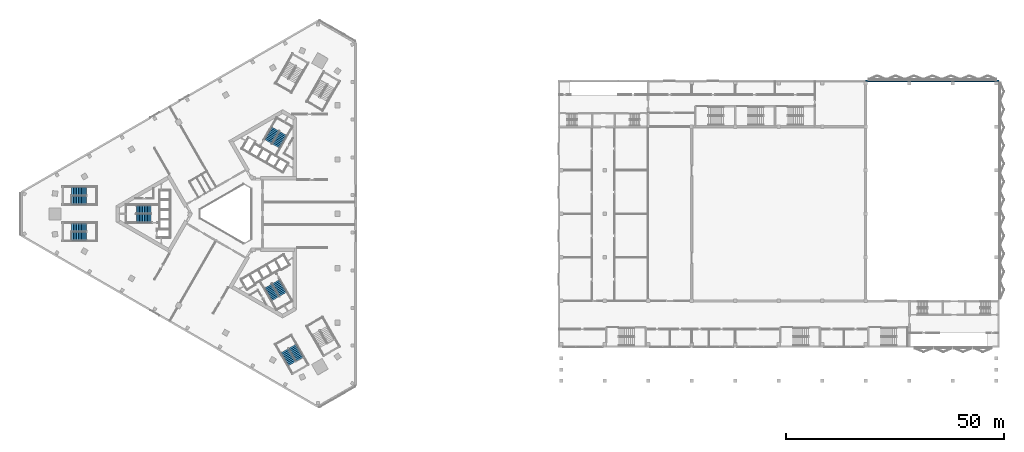
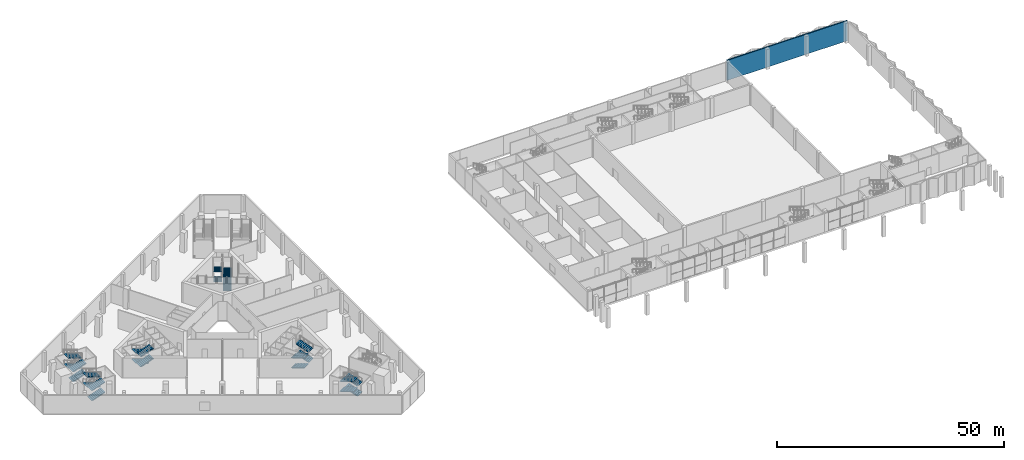
# One storey, part 17 of 35: 24 stair flights, 1 wall, 6 elements without a shape of their own.
"""IFC4 building model written with IfcOpenShell, lengths in metres."""

from ifc_helpers import new_model, si_unit, direction, frame, frame_2d, origin, place, context, subcontext, project, spatial, polyline, rectangle, outline, extrude, material, layer, layer_set, type_object, element, aggregate, save


model = new_model("IFC4")

# Units and contexts
model_context = context("Model", 3, precision=1e-05, world=origin(), true_north=direction((0.0, 1.0)))
body_context = subcontext(model_context, "Body", "Model", "MODEL_VIEW")
ifc_project = project(units=[si_unit("LENGTHUNIT", "METRE"), si_unit("AREAUNIT", "SQUARE_METRE"), si_unit("VOLUMEUNIT", "CUBIC_METRE"), si_unit("PLANEANGLEUNIT", "RADIAN"), si_unit("MASSUNIT", "GRAM", prefix="KILO")], contexts=[model_context])

# Site, building, storey
site_placement = place(None, origin())
site = spatial("IfcSite", under=ifc_project, at=site_placement, CompositionType="ELEMENT")
building_placement = place(site_placement, origin())
building = spatial("IfcBuilding", under=site, at=building_placement, Name="Jabali Bay Hotel Tower and Convention Centre", CompositionType="ELEMENT")
storey_placement = place(building_placement, frame((0.0, 0.0, 15.0)))
storey = spatial("IfcBuildingStorey", under=building, at=storey_placement, Name="L02", CompositionType="ELEMENT", Elevation=15.0)

# Wall
ifc_material = material(Name="Concrete C40", Category="concrete")
ifc_layer = layer(ifc_material, 0.300048828125)
ifc_layer_set = layer_set([ifc_layer], Name="Concrete C40")
wall_type = type_object("IfcWallType", Name="CC External Wall 300", PredefinedType="SOLIDWALL", material=ifc_layer_set)
wall_placement = place(storey_placement, frame((220.699951171875, 110.550048828125, 0.0), z_axis=(0.0, 0.0, 1.0), x_axis=(1.0, 0.0, 0.0)))
element("IfcWall", 1, at=wall_placement, inside=storey, type_object=wall_type, Name="CC plenary stage external wall", PredefinedType="SOLIDWALL", context=body_context, shape_type="SweptSolid", body=[
    extrude(rectangle(XDim=30.550048828125, YDim=0.300048828125, at=frame_2d((15.27490234375, 0.0))), origin(), (0.0, 0.0, 1.0), 5.39990234375),
])

# Stair, stair flights
stair_type_1 = type_object("IfcStairType", Name="Exit stair 1900", PredefinedType="HALF_TURN_STAIR", material=ifc_material)
stair_1_placement = place(storey_placement, origin())
stair_1 = element("IfcStair", 2, at=stair_1_placement, inside=storey, type_object=stair_type_1, Name="L02 Exit Stair 1", PredefinedType="HALF_TURN_STAIR")
stair_flight_type = type_object("IfcStairFlightType", Name="Stair flight concrete 150", PredefinedType="STRAIGHT", material=ifc_material)
stair_flight_1_placement = place(storey_placement, frame((56.419921875, 81.02490234375, 0.0), z_axis=(0.0, 0.0, 1.0), x_axis=(-1.0, 0.0, 0.0)))
stair_flight_1 = element("IfcStairFlight", 3, at=stair_flight_1_placement, type_object=stair_flight_type, Name="ST1 flight 1", NumberOfRisers=10, NumberOfTreads=9, PredefinedType="STRAIGHT", RiserHeight=0.135, TreadLength=0.37, context=body_context, shape_type="SweptSolid", body=[
    extrude(outline(polyline([(0.0, 0.0), (0.0, 0.135009765625), (0.3701171875, 0.135009765625), (0.3701171875, 0.27001953125), (0.739990234375, 0.27001953125), (0.739990234375, 0.405029296875), (1.110107421875, 0.405029296875), (1.110107421875, 0.5400390625), (1.47998046875, 0.5400390625), (1.47998046875, 0.675048828125), (1.85009765625, 0.675048828125), (1.85009765625, 0.81005859375), (2.219970703125, 0.81005859375), (2.219970703125, 0.945068359375), (2.590087890625, 0.945068359375), (2.590087890625, 1.080078125), (2.9599609375, 1.080078125), (2.9599609375, 1.215087890625), (3.330078125, 1.215087890625), (3.330078125, 1.35009765625), (3.330078125, 1.055419921875), (0.437255859375, 0.0), (0.0, 0.0)])), frame((0.0, 0.949951171875, 0.0), z_axis=(0.0, -1.0, 0.0), x_axis=(1.0, 0.0, 0.0)), (0.0, 0.0, 1.0), 1.89990234375),
])
stair_flight_2_placement = place(storey_placement, frame((53.090087890625, 78.97509765625, 1.35009765625), z_axis=(0.0, 0.0, 1.0), x_axis=(1.0, 0.0, 0.0)))
stair_flight_2 = element("IfcStairFlight", 4, at=stair_flight_2_placement, type_object=stair_flight_type, Name="ST1 flight 2", NumberOfRisers=10, NumberOfTreads=9, PredefinedType="STRAIGHT", RiserHeight=0.135, TreadLength=0.37, context=body_context, shape_type="SweptSolid", body=[
    extrude(outline(polyline([(0.0, 0.0), (0.0, 0.135009765625), (0.3701171875, 0.135009765625), (0.3701171875, 0.27001953125), (0.739990234375, 0.27001953125), (0.739990234375, 0.405029296875), (1.110107421875, 0.405029296875), (1.110107421875, 0.5400390625), (1.47998046875, 0.5400390625), (1.47998046875, 0.675048828125), (1.85009765625, 0.675048828125), (1.85009765625, 0.81005859375), (2.219970703125, 0.81005859375), (2.219970703125, 0.945068359375), (2.590087890625, 0.945068359375), (2.590087890625, 1.080078125), (2.9599609375, 1.080078125), (2.9599609375, 1.215087890625), (3.330078125, 1.215087890625), (3.330078125, 1.35009765625), (3.330078125, 1.055419921875), (0.437255859375, 0.0), (0.0, 0.0)])), frame((0.0, 0.949951171875, 0.0), z_axis=(0.0, -1.0, 0.0), x_axis=(1.0, 0.0, 0.0)), (0.0, 0.0, 1.0), 1.89990234375),
])
stair_flight_3_placement = place(storey_placement, frame((56.419921875, 81.02490234375, 2.699951171875), z_axis=(0.0, 0.0, 1.0), x_axis=(-1.0, 0.0, 0.0)))
stair_flight_3 = element("IfcStairFlight", 5, at=stair_flight_3_placement, type_object=stair_flight_type, Name="ST1 flight 3", NumberOfRisers=10, NumberOfTreads=9, PredefinedType="STRAIGHT", RiserHeight=0.135, TreadLength=0.37, context=body_context, shape_type="SweptSolid", body=[
    extrude(outline(polyline([(0.0, 0.0), (0.0, 0.135009765625), (0.3701171875, 0.135009765625), (0.3701171875, 0.27001953125), (0.739990234375, 0.27001953125), (0.739990234375, 0.405029296875), (1.110107421875, 0.405029296875), (1.110107421875, 0.5400390625), (1.47998046875, 0.5400390625), (1.47998046875, 0.675048828125), (1.85009765625, 0.675048828125), (1.85009765625, 0.81005859375), (2.219970703125, 0.81005859375), (2.219970703125, 0.945068359375), (2.590087890625, 0.945068359375), (2.590087890625, 1.080078125), (2.9599609375, 1.080078125), (2.9599609375, 1.215087890625), (3.330078125, 1.215087890625), (3.330078125, 1.35009765625), (3.330078125, 1.055419921875), (0.437255859375, 0.0), (0.0, 0.0)])), frame((0.0, 0.949951171875, 0.0), z_axis=(0.0, -1.0, 0.0), x_axis=(1.0, 0.0, 0.0)), (0.0, 0.0, 1.0), 1.89990234375),
])
stair_flight_4_placement = place(storey_placement, frame((53.090087890625, 78.97509765625, 4.050048828125), z_axis=(0.0, 0.0, 1.0), x_axis=(1.0, 0.0, 0.0)))
stair_flight_4 = element("IfcStairFlight", 6, at=stair_flight_4_placement, type_object=stair_flight_type, Name="ST1 flight 4", NumberOfRisers=10, NumberOfTreads=9, PredefinedType="STRAIGHT", RiserHeight=0.135, TreadLength=0.37, context=body_context, shape_type="SweptSolid", body=[
    extrude(outline(polyline([(0.0, 0.0), (0.0, 0.135009765625), (0.3701171875, 0.135009765625), (0.3701171875, 0.27001953125), (0.739990234375, 0.27001953125), (0.739990234375, 0.405029296875), (1.110107421875, 0.405029296875), (1.110107421875, 0.5400390625), (1.47998046875, 0.5400390625), (1.47998046875, 0.675048828125), (1.85009765625, 0.675048828125), (1.85009765625, 0.81005859375), (2.219970703125, 0.81005859375), (2.219970703125, 0.945068359375), (2.590087890625, 0.945068359375), (2.590087890625, 1.080078125), (2.9599609375, 1.080078125), (2.9599609375, 1.215087890625), (3.330078125, 1.215087890625), (3.330078125, 1.35009765625), (3.330078125, 1.055419921875), (0.437255859375, 0.0), (0.0, 0.0)])), frame((0.0, 0.949951171875, 0.0), z_axis=(0.0, -1.0, 0.0), x_axis=(1.0, 0.0, 0.0)), (0.0, 0.0, 1.0), 1.89990234375),
])
aggregate(stair_1, [stair_flight_1, stair_flight_2, stair_flight_3, stair_flight_4])

stair_2_placement = place(storey_placement, origin())
stair_2 = element("IfcStair", 7, at=stair_2_placement, inside=storey, type_object=stair_type_1, Name="L02 Exit Stair 2", PredefinedType="HALF_TURN_STAIR")
stair_flight_5_placement = place(storey_placement, frame((85.177734375, 95.578369140625, 0.0), z_axis=(0.0, 0.0, 1.0), x_axis=(0.5, 0.866025403784, 0.0)))
stair_flight_5 = element("IfcStairFlight", 8, at=stair_flight_5_placement, type_object=stair_flight_type, Name="ST2 flight 1", NumberOfRisers=10, NumberOfTreads=9, PredefinedType="STRAIGHT", RiserHeight=0.135, TreadLength=0.37, context=body_context, shape_type="SweptSolid", body=[
    extrude(outline(polyline([(0.0, 0.0), (0.0, 0.135009765625), (0.3701171875, 0.135009765625), (0.3701171875, 0.27001953125), (0.739990234375, 0.27001953125), (0.739990234375, 0.405029296875), (1.110107421875, 0.405029296875), (1.110107421875, 0.5400390625), (1.47998046875, 0.5400390625), (1.47998046875, 0.675048828125), (1.85009765625, 0.675048828125), (1.85009765625, 0.81005859375), (2.219970703125, 0.81005859375), (2.219970703125, 0.945068359375), (2.590087890625, 0.945068359375), (2.590087890625, 1.080078125), (2.9599609375, 1.080078125), (2.9599609375, 1.215087890625), (3.330078125, 1.215087890625), (3.330078125, 1.35009765625), (3.330078125, 1.055419921875), (0.437255859375, 0.0), (0.0, 0.0)])), frame((0.0, 0.949951171875, 0.0), z_axis=(0.0, -1.0, 0.0), x_axis=(1.0, 0.0, 0.0)), (0.0, 0.0, 1.0), 1.89990234375),
])
stair_flight_6_placement = place(storey_placement, frame((85.0673828125, 99.487060546875, 1.35009765625), z_axis=(0.0, 0.0, 1.0), x_axis=(-0.5, -0.866025403784, 0.0)))
stair_flight_6 = element("IfcStairFlight", 9, at=stair_flight_6_placement, type_object=stair_flight_type, Name="ST2 flight 2", NumberOfRisers=10, NumberOfTreads=9, PredefinedType="STRAIGHT", RiserHeight=0.135, TreadLength=0.37, context=body_context, shape_type="SweptSolid", body=[
    extrude(outline(polyline([(0.0, 0.0), (0.0, 0.135009765625), (0.3701171875, 0.135009765625), (0.3701171875, 0.27001953125), (0.739990234375, 0.27001953125), (0.739990234375, 0.405029296875), (1.110107421875, 0.405029296875), (1.110107421875, 0.5400390625), (1.47998046875, 0.5400390625), (1.47998046875, 0.675048828125), (1.85009765625, 0.675048828125), (1.85009765625, 0.81005859375), (2.219970703125, 0.81005859375), (2.219970703125, 0.945068359375), (2.590087890625, 0.945068359375), (2.590087890625, 1.080078125), (2.9599609375, 1.080078125), (2.9599609375, 1.215087890625), (3.330078125, 1.215087890625), (3.330078125, 1.35009765625), (3.330078125, 1.055419921875), (0.437255859375, 0.0), (0.0, 0.0)])), frame((0.0, 0.949951171875, 0.0), z_axis=(0.0, -1.0, 0.0), x_axis=(1.0, 0.0, 0.0)), (0.0, 0.0, 1.0), 1.89990234375),
])
stair_flight_7_placement = place(storey_placement, frame((85.177734375, 95.578369140625, 2.699951171875), z_axis=(0.0, 0.0, 1.0), x_axis=(0.5, 0.866025403784, 0.0)))
stair_flight_7 = element("IfcStairFlight", 10, at=stair_flight_7_placement, type_object=stair_flight_type, Name="ST2 flight 3", NumberOfRisers=10, NumberOfTreads=9, PredefinedType="STRAIGHT", RiserHeight=0.135, TreadLength=0.37, context=body_context, shape_type="SweptSolid", body=[
    extrude(outline(polyline([(0.0, 0.0), (0.0, 0.135009765625), (0.3701171875, 0.135009765625), (0.3701171875, 0.27001953125), (0.739990234375, 0.27001953125), (0.739990234375, 0.405029296875), (1.110107421875, 0.405029296875), (1.110107421875, 0.5400390625), (1.47998046875, 0.5400390625), (1.47998046875, 0.675048828125), (1.85009765625, 0.675048828125), (1.85009765625, 0.81005859375), (2.219970703125, 0.81005859375), (2.219970703125, 0.945068359375), (2.590087890625, 0.945068359375), (2.590087890625, 1.080078125), (2.9599609375, 1.080078125), (2.9599609375, 1.215087890625), (3.330078125, 1.215087890625), (3.330078125, 1.35009765625), (3.330078125, 1.055419921875), (0.437255859375, 0.0), (0.0, 0.0)])), frame((0.0, 0.949951171875, 0.0), z_axis=(0.0, -1.0, 0.0), x_axis=(1.0, 0.0, 0.0)), (0.0, 0.0, 1.0), 1.89990234375),
])
stair_flight_8_placement = place(storey_placement, frame((85.0673828125, 99.487060546875, 4.050048828125), z_axis=(0.0, 0.0, 1.0), x_axis=(-0.5, -0.866025403784, 0.0)))
stair_flight_8 = element("IfcStairFlight", 11, at=stair_flight_8_placement, type_object=stair_flight_type, Name="ST2 flight 4", NumberOfRisers=10, NumberOfTreads=9, PredefinedType="STRAIGHT", RiserHeight=0.135, TreadLength=0.37, context=body_context, shape_type="SweptSolid", body=[
    extrude(outline(polyline([(0.0, 0.0), (0.0, 0.135009765625), (0.3701171875, 0.135009765625), (0.3701171875, 0.27001953125), (0.739990234375, 0.27001953125), (0.739990234375, 0.405029296875), (1.110107421875, 0.405029296875), (1.110107421875, 0.5400390625), (1.47998046875, 0.5400390625), (1.47998046875, 0.675048828125), (1.85009765625, 0.675048828125), (1.85009765625, 0.81005859375), (2.219970703125, 0.81005859375), (2.219970703125, 0.945068359375), (2.590087890625, 0.945068359375), (2.590087890625, 1.080078125), (2.9599609375, 1.080078125), (2.9599609375, 1.215087890625), (3.330078125, 1.215087890625), (3.330078125, 1.35009765625), (3.330078125, 1.055419921875), (0.437255859375, 0.0), (0.0, 0.0)])), frame((0.0, 0.949951171875, 0.0), z_axis=(0.0, -1.0, 0.0), x_axis=(1.0, 0.0, 0.0)), (0.0, 0.0, 1.0), 1.89990234375),
])
aggregate(stair_2, [stair_flight_5, stair_flight_6, stair_flight_7, stair_flight_8])

stair_3_placement = place(storey_placement, origin())
stair_3 = element("IfcStair", 12, at=stair_3_placement, inside=storey, type_object=stair_type_1, Name="L02 Exit Stair 3", PredefinedType="HALF_TURN_STAIR")
stair_flight_9_placement = place(storey_placement, frame((83.40234375, 63.396728515625, 0.0), z_axis=(0.0, 0.0, 1.0), x_axis=(0.5, -0.866025403784, 0.0)))
stair_flight_9 = element("IfcStairFlight", 13, at=stair_flight_9_placement, type_object=stair_flight_type, Name="ST3 flight 1", NumberOfRisers=10, NumberOfTreads=9, PredefinedType="STRAIGHT", RiserHeight=0.135, TreadLength=0.37, context=body_context, shape_type="SweptSolid", body=[
    extrude(outline(polyline([(0.0, 0.0), (0.0, 0.135009765625), (0.3701171875, 0.135009765625), (0.3701171875, 0.27001953125), (0.739990234375, 0.27001953125), (0.739990234375, 0.405029296875), (1.110107421875, 0.405029296875), (1.110107421875, 0.5400390625), (1.47998046875, 0.5400390625), (1.47998046875, 0.675048828125), (1.85009765625, 0.675048828125), (1.85009765625, 0.81005859375), (2.219970703125, 0.81005859375), (2.219970703125, 0.945068359375), (2.590087890625, 0.945068359375), (2.590087890625, 1.080078125), (2.9599609375, 1.080078125), (2.9599609375, 1.215087890625), (3.330078125, 1.215087890625), (3.330078125, 1.35009765625), (3.330078125, 1.055419921875), (0.437255859375, 0.0), (0.0, 0.0)])), frame((0.0, 0.949951171875, 0.0), z_axis=(0.0, -1.0, 0.0), x_axis=(1.0, 0.0, 0.0)), (0.0, 0.0, 1.0), 1.89990234375),
])
stair_flight_10_placement = place(storey_placement, frame((86.8427734375, 61.537841796875, 1.35009765625), z_axis=(0.0, 0.0, 1.0), x_axis=(-0.5, 0.866025403784, 0.0)))
stair_flight_10 = element("IfcStairFlight", 14, at=stair_flight_10_placement, type_object=stair_flight_type, Name="ST3 flight 2", NumberOfRisers=10, NumberOfTreads=9, PredefinedType="STRAIGHT", RiserHeight=0.135, TreadLength=0.37, context=body_context, shape_type="SweptSolid", body=[
    extrude(outline(polyline([(0.0, 0.0), (0.0, 0.135009765625), (0.3701171875, 0.135009765625), (0.3701171875, 0.27001953125), (0.739990234375, 0.27001953125), (0.739990234375, 0.405029296875), (1.110107421875, 0.405029296875), (1.110107421875, 0.5400390625), (1.47998046875, 0.5400390625), (1.47998046875, 0.675048828125), (1.85009765625, 0.675048828125), (1.85009765625, 0.81005859375), (2.219970703125, 0.81005859375), (2.219970703125, 0.945068359375), (2.590087890625, 0.945068359375), (2.590087890625, 1.080078125), (2.9599609375, 1.080078125), (2.9599609375, 1.215087890625), (3.330078125, 1.215087890625), (3.330078125, 1.35009765625), (3.330078125, 1.055419921875), (0.437255859375, 0.0), (0.0, 0.0)])), frame((0.0, 0.949951171875, 0.0), z_axis=(0.0, -1.0, 0.0), x_axis=(1.0, 0.0, 0.0)), (0.0, 0.0, 1.0), 1.89990234375),
])
stair_flight_11_placement = place(storey_placement, frame((83.40234375, 63.396728515625, 2.699951171875), z_axis=(0.0, 0.0, 1.0), x_axis=(0.5, -0.866025403784, 0.0)))
stair_flight_11 = element("IfcStairFlight", 15, at=stair_flight_11_placement, type_object=stair_flight_type, Name="ST3 flight 3", NumberOfRisers=10, NumberOfTreads=9, PredefinedType="STRAIGHT", RiserHeight=0.135, TreadLength=0.37, context=body_context, shape_type="SweptSolid", body=[
    extrude(outline(polyline([(0.0, 0.0), (0.0, 0.135009765625), (0.3701171875, 0.135009765625), (0.3701171875, 0.27001953125), (0.739990234375, 0.27001953125), (0.739990234375, 0.405029296875), (1.110107421875, 0.405029296875), (1.110107421875, 0.5400390625), (1.47998046875, 0.5400390625), (1.47998046875, 0.675048828125), (1.85009765625, 0.675048828125), (1.85009765625, 0.81005859375), (2.219970703125, 0.81005859375), (2.219970703125, 0.945068359375), (2.590087890625, 0.945068359375), (2.590087890625, 1.080078125), (2.9599609375, 1.080078125), (2.9599609375, 1.215087890625), (3.330078125, 1.215087890625), (3.330078125, 1.35009765625), (3.330078125, 1.055419921875), (0.437255859375, 0.0), (0.0, 0.0)])), frame((0.0, 0.949951171875, 0.0), z_axis=(0.0, -1.0, 0.0), x_axis=(1.0, 0.0, 0.0)), (0.0, 0.0, 1.0), 1.89990234375),
])
stair_flight_12_placement = place(storey_placement, frame((86.8427734375, 61.537841796875, 4.050048828125), z_axis=(0.0, 0.0, 1.0), x_axis=(-0.5, 0.866025403784, 0.0)))
stair_flight_12 = element("IfcStairFlight", 16, at=stair_flight_12_placement, type_object=stair_flight_type, Name="ST3 flight 4", NumberOfRisers=10, NumberOfTreads=9, PredefinedType="STRAIGHT", RiserHeight=0.135, TreadLength=0.37, context=body_context, shape_type="SweptSolid", body=[
    extrude(outline(polyline([(0.0, 0.0), (0.0, 0.135009765625), (0.3701171875, 0.135009765625), (0.3701171875, 0.27001953125), (0.739990234375, 0.27001953125), (0.739990234375, 0.405029296875), (1.110107421875, 0.405029296875), (1.110107421875, 0.5400390625), (1.47998046875, 0.5400390625), (1.47998046875, 0.675048828125), (1.85009765625, 0.675048828125), (1.85009765625, 0.81005859375), (2.219970703125, 0.81005859375), (2.219970703125, 0.945068359375), (2.590087890625, 0.945068359375), (2.590087890625, 1.080078125), (2.9599609375, 1.080078125), (2.9599609375, 1.215087890625), (3.330078125, 1.215087890625), (3.330078125, 1.35009765625), (3.330078125, 1.055419921875), (0.437255859375, 0.0), (0.0, 0.0)])), frame((0.0, 0.949951171875, 0.0), z_axis=(0.0, -1.0, 0.0), x_axis=(1.0, 0.0, 0.0)), (0.0, 0.0, 1.0), 1.89990234375),
])
aggregate(stair_3, [stair_flight_9, stair_flight_10, stair_flight_11, stair_flight_12])

stair_type_2 = type_object("IfcStairType", Name="Podium stair 1950", PredefinedType="HALF_TURN_STAIR", material=ifc_material)
stair_4_placement = place(storey_placement, origin())
stair_4 = element("IfcStair", 17, at=stair_4_placement, inside=storey, type_object=stair_type_2, Name="L02 Podium Exit Stair 1", PredefinedType="HALF_TURN_STAIR")
stair_flight_13_placement = place(storey_placement, frame((38.25, 74.824951171875, 0.0), z_axis=(0.0, 0.0, 1.0), x_axis=(1.0, 0.0, 0.0)))
stair_flight_13 = element("IfcStairFlight", 18, at=stair_flight_13_placement, type_object=stair_flight_type, Name="PS1 flight 1", NumberOfRisers=10, NumberOfTreads=9, PredefinedType="STRAIGHT", RiserHeight=0.135, TreadLength=0.38, context=body_context, shape_type="SweptSolid", body=[
    extrude(outline(polyline([(0.0, 0.0), (0.0, 0.135009765625), (0.3798828125, 0.135009765625), (0.3798828125, 0.27001953125), (0.760009765625, 0.27001953125), (0.760009765625, 0.405029296875), (1.139892578125, 0.405029296875), (1.139892578125, 0.5400390625), (1.52001953125, 0.5400390625), (1.52001953125, 0.675048828125), (1.89990234375, 0.675048828125), (1.89990234375, 0.81005859375), (2.280029296875, 0.81005859375), (2.280029296875, 0.945068359375), (2.659912109375, 0.945068359375), (2.659912109375, 1.080078125), (3.0400390625, 1.080078125), (3.0400390625, 1.215087890625), (3.419921875, 1.215087890625), (3.419921875, 1.35009765625), (3.419921875, 1.055908203125), (0.44775390625, 0.0), (0.0, 0.0)])), frame((0.0, 0.97509765625, 0.0), z_axis=(0.0, -1.0, 0.0), x_axis=(1.0, 0.0, 0.0)), (0.0, 0.0, 1.0), 1.949951171875),
])
stair_flight_14_placement = place(storey_placement, frame((41.669921875, 76.875, 1.35009765625), z_axis=(0.0, 0.0, 1.0), x_axis=(-1.0, 0.0, 0.0)))
stair_flight_14 = element("IfcStairFlight", 19, at=stair_flight_14_placement, type_object=stair_flight_type, Name="PS1 flight 2", NumberOfRisers=10, NumberOfTreads=9, PredefinedType="STRAIGHT", RiserHeight=0.135, TreadLength=0.38, context=body_context, shape_type="SweptSolid", body=[
    extrude(outline(polyline([(0.0, 0.0), (0.0, 0.135009765625), (0.3798828125, 0.135009765625), (0.3798828125, 0.27001953125), (0.760009765625, 0.27001953125), (0.760009765625, 0.405029296875), (1.139892578125, 0.405029296875), (1.139892578125, 0.5400390625), (1.52001953125, 0.5400390625), (1.52001953125, 0.675048828125), (1.89990234375, 0.675048828125), (1.89990234375, 0.81005859375), (2.280029296875, 0.81005859375), (2.280029296875, 0.945068359375), (2.659912109375, 0.945068359375), (2.659912109375, 1.080078125), (3.0400390625, 1.080078125), (3.0400390625, 1.215087890625), (3.419921875, 1.215087890625), (3.419921875, 1.35009765625), (3.419921875, 1.055908203125), (0.44775390625, 0.0), (0.0, 0.0)])), frame((0.0, 0.97509765625, 0.0), z_axis=(0.0, -1.0, 0.0), x_axis=(1.0, 0.0, 0.0)), (0.0, 0.0, 1.0), 1.949951171875),
])
stair_flight_15_placement = place(storey_placement, frame((38.25, 74.824951171875, 2.699951171875), z_axis=(0.0, 0.0, 1.0), x_axis=(1.0, 0.0, 0.0)))
stair_flight_15 = element("IfcStairFlight", 20, at=stair_flight_15_placement, type_object=stair_flight_type, Name="PS1 flight 3", NumberOfRisers=10, NumberOfTreads=9, PredefinedType="STRAIGHT", RiserHeight=0.135, TreadLength=0.38, context=body_context, shape_type="SweptSolid", body=[
    extrude(outline(polyline([(0.0, 0.0), (0.0, 0.135009765625), (0.3798828125, 0.135009765625), (0.3798828125, 0.27001953125), (0.760009765625, 0.27001953125), (0.760009765625, 0.405029296875), (1.139892578125, 0.405029296875), (1.139892578125, 0.5400390625), (1.52001953125, 0.5400390625), (1.52001953125, 0.675048828125), (1.89990234375, 0.675048828125), (1.89990234375, 0.81005859375), (2.280029296875, 0.81005859375), (2.280029296875, 0.945068359375), (2.659912109375, 0.945068359375), (2.659912109375, 1.080078125), (3.0400390625, 1.080078125), (3.0400390625, 1.215087890625), (3.419921875, 1.215087890625), (3.419921875, 1.35009765625), (3.419921875, 1.055908203125), (0.44775390625, 0.0), (0.0, 0.0)])), frame((0.0, 0.97509765625, 0.0), z_axis=(0.0, -1.0, 0.0), x_axis=(1.0, 0.0, 0.0)), (0.0, 0.0, 1.0), 1.949951171875),
])
stair_flight_16_placement = place(storey_placement, frame((41.669921875, 76.875, 4.050048828125), z_axis=(0.0, 0.0, 1.0), x_axis=(-1.0, 0.0, 0.0)))
stair_flight_16 = element("IfcStairFlight", 21, at=stair_flight_16_placement, type_object=stair_flight_type, Name="PS1 flight 4", NumberOfRisers=10, NumberOfTreads=9, PredefinedType="STRAIGHT", RiserHeight=0.135, TreadLength=0.38, context=body_context, shape_type="SweptSolid", body=[
    extrude(outline(polyline([(0.0, 0.0), (0.0, 0.135009765625), (0.3798828125, 0.135009765625), (0.3798828125, 0.27001953125), (0.760009765625, 0.27001953125), (0.760009765625, 0.405029296875), (1.139892578125, 0.405029296875), (1.139892578125, 0.5400390625), (1.52001953125, 0.5400390625), (1.52001953125, 0.675048828125), (1.89990234375, 0.675048828125), (1.89990234375, 0.81005859375), (2.280029296875, 0.81005859375), (2.280029296875, 0.945068359375), (2.659912109375, 0.945068359375), (2.659912109375, 1.080078125), (3.0400390625, 1.080078125), (3.0400390625, 1.215087890625), (3.419921875, 1.215087890625), (3.419921875, 1.35009765625), (3.419921875, 1.055908203125), (0.44775390625, 0.0), (0.0, 0.0)])), frame((0.0, 0.97509765625, 0.0), z_axis=(0.0, -1.0, 0.0), x_axis=(1.0, 0.0, 0.0)), (0.0, 0.0, 1.0), 1.949951171875),
])
aggregate(stair_4, [stair_flight_13, stair_flight_14, stair_flight_15, stair_flight_16])

stair_5_placement = place(storey_placement, origin())
stair_5 = element("IfcStair", 22, at=stair_5_placement, inside=storey, type_object=stair_type_2, Name="L02 Podium Exit Stair 2", PredefinedType="HALF_TURN_STAIR")
stair_flight_17_placement = place(storey_placement, frame((38.25, 83.125, 0.0), z_axis=(0.0, 0.0, 1.0), x_axis=(1.0, 0.0, 0.0)))
stair_flight_17 = element("IfcStairFlight", 23, at=stair_flight_17_placement, type_object=stair_flight_type, Name="PS2 flight 1", NumberOfRisers=10, NumberOfTreads=9, PredefinedType="STRAIGHT", RiserHeight=0.135, TreadLength=0.38, context=body_context, shape_type="SweptSolid", body=[
    extrude(outline(polyline([(0.0, 0.0), (0.0, 0.135009765625), (0.3798828125, 0.135009765625), (0.3798828125, 0.27001953125), (0.760009765625, 0.27001953125), (0.760009765625, 0.405029296875), (1.139892578125, 0.405029296875), (1.139892578125, 0.5400390625), (1.52001953125, 0.5400390625), (1.52001953125, 0.675048828125), (1.89990234375, 0.675048828125), (1.89990234375, 0.81005859375), (2.280029296875, 0.81005859375), (2.280029296875, 0.945068359375), (2.659912109375, 0.945068359375), (2.659912109375, 1.080078125), (3.0400390625, 1.080078125), (3.0400390625, 1.215087890625), (3.419921875, 1.215087890625), (3.419921875, 1.35009765625), (3.419921875, 1.055908203125), (0.44775390625, 0.0), (0.0, 0.0)])), frame((0.0, 0.97509765625, 0.0), z_axis=(0.0, -1.0, 0.0), x_axis=(1.0, 0.0, 0.0)), (0.0, 0.0, 1.0), 1.949951171875),
])
stair_flight_18_placement = place(storey_placement, frame((41.669921875, 85.175048828125, 1.35009765625), z_axis=(0.0, 0.0, 1.0), x_axis=(-1.0, 0.0, 0.0)))
stair_flight_18 = element("IfcStairFlight", 24, at=stair_flight_18_placement, type_object=stair_flight_type, Name="PS2 flight 2", NumberOfRisers=10, NumberOfTreads=9, PredefinedType="STRAIGHT", RiserHeight=0.135, TreadLength=0.38, context=body_context, shape_type="SweptSolid", body=[
    extrude(outline(polyline([(0.0, 0.0), (0.0, 0.135009765625), (0.3798828125, 0.135009765625), (0.3798828125, 0.27001953125), (0.760009765625, 0.27001953125), (0.760009765625, 0.405029296875), (1.139892578125, 0.405029296875), (1.139892578125, 0.5400390625), (1.52001953125, 0.5400390625), (1.52001953125, 0.675048828125), (1.89990234375, 0.675048828125), (1.89990234375, 0.81005859375), (2.280029296875, 0.81005859375), (2.280029296875, 0.945068359375), (2.659912109375, 0.945068359375), (2.659912109375, 1.080078125), (3.0400390625, 1.080078125), (3.0400390625, 1.215087890625), (3.419921875, 1.215087890625), (3.419921875, 1.35009765625), (3.419921875, 1.055908203125), (0.44775390625, 0.0), (0.0, 0.0)])), frame((0.0, 0.97509765625, 0.0), z_axis=(0.0, -1.0, 0.0), x_axis=(1.0, 0.0, 0.0)), (0.0, 0.0, 1.0), 1.949951171875),
])
stair_flight_19_placement = place(storey_placement, frame((38.25, 83.125, 2.699951171875), z_axis=(0.0, 0.0, 1.0), x_axis=(1.0, 0.0, 0.0)))
stair_flight_19 = element("IfcStairFlight", 25, at=stair_flight_19_placement, type_object=stair_flight_type, Name="PS2 flight 3", NumberOfRisers=10, NumberOfTreads=9, PredefinedType="STRAIGHT", RiserHeight=0.135, TreadLength=0.38, context=body_context, shape_type="SweptSolid", body=[
    extrude(outline(polyline([(0.0, 0.0), (0.0, 0.135009765625), (0.3798828125, 0.135009765625), (0.3798828125, 0.27001953125), (0.760009765625, 0.27001953125), (0.760009765625, 0.405029296875), (1.139892578125, 0.405029296875), (1.139892578125, 0.5400390625), (1.52001953125, 0.5400390625), (1.52001953125, 0.675048828125), (1.89990234375, 0.675048828125), (1.89990234375, 0.81005859375), (2.280029296875, 0.81005859375), (2.280029296875, 0.945068359375), (2.659912109375, 0.945068359375), (2.659912109375, 1.080078125), (3.0400390625, 1.080078125), (3.0400390625, 1.215087890625), (3.419921875, 1.215087890625), (3.419921875, 1.35009765625), (3.419921875, 1.055908203125), (0.44775390625, 0.0), (0.0, 0.0)])), frame((0.0, 0.97509765625, 0.0), z_axis=(0.0, -1.0, 0.0), x_axis=(1.0, 0.0, 0.0)), (0.0, 0.0, 1.0), 1.949951171875),
])
stair_flight_20_placement = place(storey_placement, frame((41.669921875, 85.175048828125, 4.050048828125), z_axis=(0.0, 0.0, 1.0), x_axis=(-1.0, 0.0, 0.0)))
stair_flight_20 = element("IfcStairFlight", 26, at=stair_flight_20_placement, type_object=stair_flight_type, Name="PS2 flight 4", NumberOfRisers=10, NumberOfTreads=9, PredefinedType="STRAIGHT", RiserHeight=0.135, TreadLength=0.38, context=body_context, shape_type="SweptSolid", body=[
    extrude(outline(polyline([(0.0, 0.0), (0.0, 0.135009765625), (0.3798828125, 0.135009765625), (0.3798828125, 0.27001953125), (0.760009765625, 0.27001953125), (0.760009765625, 0.405029296875), (1.139892578125, 0.405029296875), (1.139892578125, 0.5400390625), (1.52001953125, 0.5400390625), (1.52001953125, 0.675048828125), (1.89990234375, 0.675048828125), (1.89990234375, 0.81005859375), (2.280029296875, 0.81005859375), (2.280029296875, 0.945068359375), (2.659912109375, 0.945068359375), (2.659912109375, 1.080078125), (3.0400390625, 1.080078125), (3.0400390625, 1.215087890625), (3.419921875, 1.215087890625), (3.419921875, 1.35009765625), (3.419921875, 1.055908203125), (0.44775390625, 0.0), (0.0, 0.0)])), frame((0.0, 0.97509765625, 0.0), z_axis=(0.0, -1.0, 0.0), x_axis=(1.0, 0.0, 0.0)), (0.0, 0.0, 1.0), 1.949951171875),
])
aggregate(stair_5, [stair_flight_17, stair_flight_18, stair_flight_19, stair_flight_20])

stair_6_placement = place(storey_placement, origin())
stair_6 = element("IfcStair", 27, at=stair_6_placement, inside=storey, type_object=stair_type_2, Name="L02 Podium Exit Stair 6", PredefinedType="HALF_TURN_STAIR")
stair_flight_21_placement = place(storey_placement, frame((90.668701171875, 46.611083984375, 0.0), z_axis=(0.0, 0.0, 1.0), x_axis=(-0.5, 0.866025403784, 0.0)))
stair_flight_21 = element("IfcStairFlight", 28, at=stair_flight_21_placement, type_object=stair_flight_type, Name="PS6 flight 1", NumberOfRisers=10, NumberOfTreads=9, PredefinedType="STRAIGHT", RiserHeight=0.135, TreadLength=0.38, context=body_context, shape_type="SweptSolid", body=[
    extrude(outline(polyline([(0.0, 0.0), (0.0, 0.135009765625), (0.3798828125, 0.135009765625), (0.3798828125, 0.27001953125), (0.760009765625, 0.27001953125), (0.760009765625, 0.405029296875), (1.139892578125, 0.405029296875), (1.139892578125, 0.5400390625), (1.52001953125, 0.5400390625), (1.52001953125, 0.675048828125), (1.89990234375, 0.675048828125), (1.89990234375, 0.81005859375), (2.280029296875, 0.81005859375), (2.280029296875, 0.945068359375), (2.659912109375, 0.945068359375), (2.659912109375, 1.080078125), (3.0400390625, 1.080078125), (3.0400390625, 1.215087890625), (3.419921875, 1.215087890625), (3.419921875, 1.35009765625), (3.419921875, 1.055908203125), (0.44775390625, 0.0), (0.0, 0.0)])), frame((0.0, 0.97509765625, 0.0), z_axis=(0.0, -1.0, 0.0), x_axis=(1.0, 0.0, 0.0)), (0.0, 0.0, 1.0), 1.949951171875),
])
stair_flight_22_placement = place(storey_placement, frame((87.183349609375, 48.5478515625, 1.35009765625), z_axis=(0.0, 0.0, 1.0), x_axis=(0.5, -0.866025403784, 0.0)))
stair_flight_22 = element("IfcStairFlight", 29, at=stair_flight_22_placement, type_object=stair_flight_type, Name="PS6 flight 2", NumberOfRisers=10, NumberOfTreads=9, PredefinedType="STRAIGHT", RiserHeight=0.135, TreadLength=0.38, context=body_context, shape_type="SweptSolid", body=[
    extrude(outline(polyline([(0.0, 0.0), (0.0, 0.135009765625), (0.3798828125, 0.135009765625), (0.3798828125, 0.27001953125), (0.760009765625, 0.27001953125), (0.760009765625, 0.405029296875), (1.139892578125, 0.405029296875), (1.139892578125, 0.5400390625), (1.52001953125, 0.5400390625), (1.52001953125, 0.675048828125), (1.89990234375, 0.675048828125), (1.89990234375, 0.81005859375), (2.280029296875, 0.81005859375), (2.280029296875, 0.945068359375), (2.659912109375, 0.945068359375), (2.659912109375, 1.080078125), (3.0400390625, 1.080078125), (3.0400390625, 1.215087890625), (3.419921875, 1.215087890625), (3.419921875, 1.35009765625), (3.419921875, 1.055908203125), (0.44775390625, 0.0), (0.0, 0.0)])), frame((0.0, 0.97509765625, 0.0), z_axis=(0.0, -1.0, 0.0), x_axis=(1.0, 0.0, 0.0)), (0.0, 0.0, 1.0), 1.949951171875),
])
stair_flight_23_placement = place(storey_placement, frame((90.668701171875, 46.611083984375, 2.699951171875), z_axis=(0.0, 0.0, 1.0), x_axis=(-0.5, 0.866025403784, 0.0)))
stair_flight_23 = element("IfcStairFlight", 30, at=stair_flight_23_placement, type_object=stair_flight_type, Name="PS6 flight 3", NumberOfRisers=10, NumberOfTreads=9, PredefinedType="STRAIGHT", RiserHeight=0.135, TreadLength=0.38, context=body_context, shape_type="SweptSolid", body=[
    extrude(outline(polyline([(0.0, 0.0), (0.0, 0.135009765625), (0.3798828125, 0.135009765625), (0.3798828125, 0.27001953125), (0.760009765625, 0.27001953125), (0.760009765625, 0.405029296875), (1.139892578125, 0.405029296875), (1.139892578125, 0.5400390625), (1.52001953125, 0.5400390625), (1.52001953125, 0.675048828125), (1.89990234375, 0.675048828125), (1.89990234375, 0.81005859375), (2.280029296875, 0.81005859375), (2.280029296875, 0.945068359375), (2.659912109375, 0.945068359375), (2.659912109375, 1.080078125), (3.0400390625, 1.080078125), (3.0400390625, 1.215087890625), (3.419921875, 1.215087890625), (3.419921875, 1.35009765625), (3.419921875, 1.055908203125), (0.44775390625, 0.0), (0.0, 0.0)])), frame((0.0, 0.97509765625, 0.0), z_axis=(0.0, -1.0, 0.0), x_axis=(1.0, 0.0, 0.0)), (0.0, 0.0, 1.0), 1.949951171875),
])
stair_flight_24_placement = place(storey_placement, frame((87.183349609375, 48.5478515625, 4.050048828125), z_axis=(0.0, 0.0, 1.0), x_axis=(0.5, -0.866025403784, 0.0)))
stair_flight_24 = element("IfcStairFlight", 31, at=stair_flight_24_placement, type_object=stair_flight_type, Name="PS6 flight 4", NumberOfRisers=10, NumberOfTreads=9, PredefinedType="STRAIGHT", RiserHeight=0.135, TreadLength=0.38, context=body_context, shape_type="SweptSolid", body=[
    extrude(outline(polyline([(0.0, 0.0), (0.0, 0.135009765625), (0.3798828125, 0.135009765625), (0.3798828125, 0.27001953125), (0.760009765625, 0.27001953125), (0.760009765625, 0.405029296875), (1.139892578125, 0.405029296875), (1.139892578125, 0.5400390625), (1.52001953125, 0.5400390625), (1.52001953125, 0.675048828125), (1.89990234375, 0.675048828125), (1.89990234375, 0.81005859375), (2.280029296875, 0.81005859375), (2.280029296875, 0.945068359375), (2.659912109375, 0.945068359375), (2.659912109375, 1.080078125), (3.0400390625, 1.080078125), (3.0400390625, 1.215087890625), (3.419921875, 1.215087890625), (3.419921875, 1.35009765625), (3.419921875, 1.055908203125), (0.44775390625, 0.0), (0.0, 0.0)])), frame((0.0, 0.97509765625, 0.0), z_axis=(0.0, -1.0, 0.0), x_axis=(1.0, 0.0, 0.0)), (0.0, 0.0, 1.0), 1.949951171875),
])
aggregate(stair_6, [stair_flight_21, stair_flight_22, stair_flight_23, stair_flight_24])

save(model, "model.ifc")
